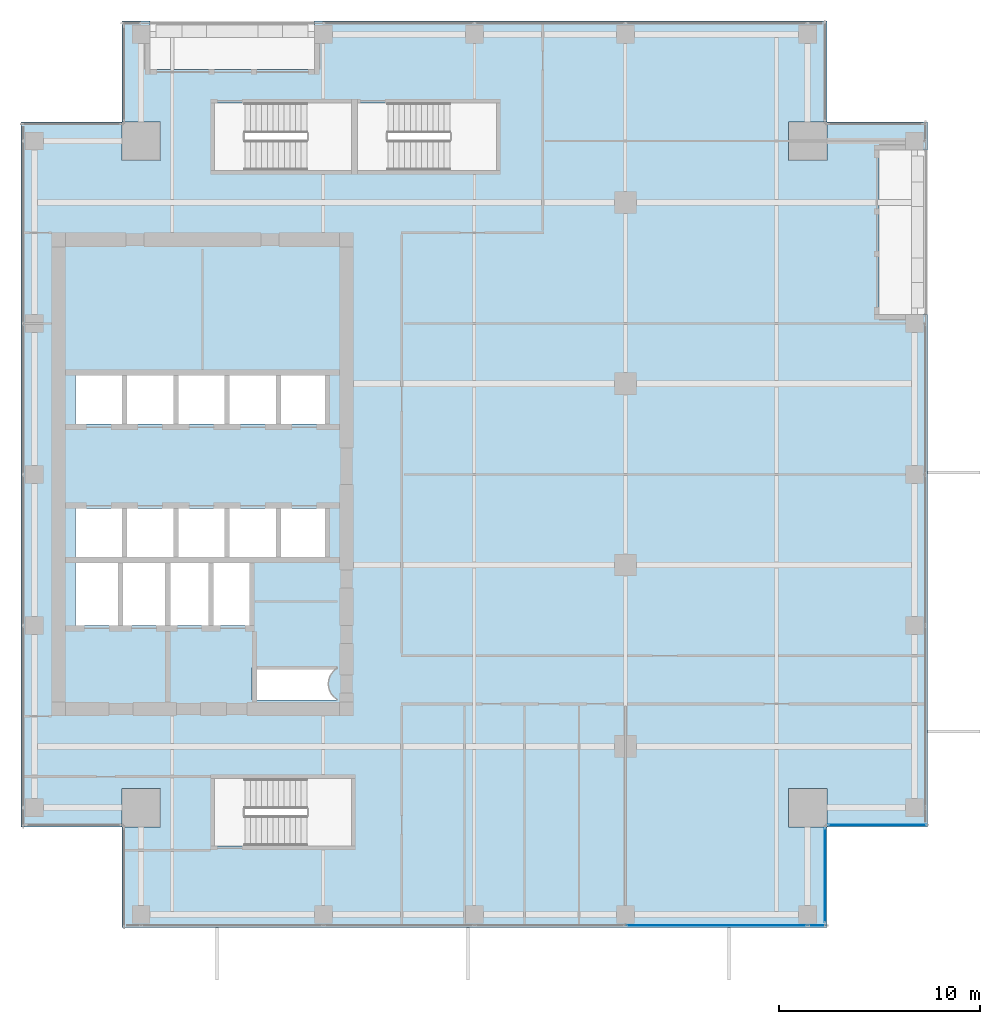
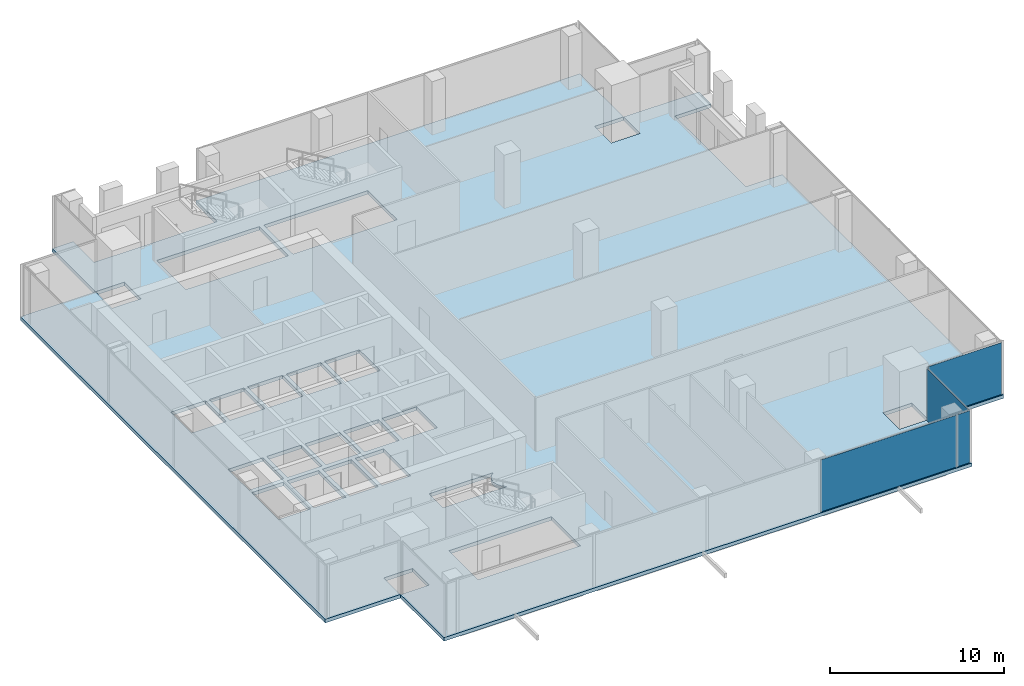
# One storey, part 25 of 34: 4 plates, 1 slab, 3 elements without a shape of their own.
"""IFC4 building model written with IfcOpenShell, lengths in metres."""

from ifc_helpers import new_model, si_unit, direction, frame, origin, origin_2d, place, context, subcontext, project, spatial, polyline, rectangle, outline, extrude, source, transform, mapped, material, layer, layer_set, type_object, element, aggregate, save


model = new_model("IFC4")

# Units and contexts
model_context = context("Model", 3, precision=1e-05, world=origin(), true_north=direction((0.0, 1.0)))
body_context = subcontext(model_context, "Body", "Model", "MODEL_VIEW")
ifc_project = project(units=[si_unit("LENGTHUNIT", "METRE"), si_unit("AREAUNIT", "SQUARE_METRE"), si_unit("VOLUMEUNIT", "CUBIC_METRE"), si_unit("PLANEANGLEUNIT", "RADIAN"), si_unit("MASSUNIT", "GRAM", prefix="KILO")], contexts=[model_context])

# Site, building, storey
site_placement = place(None, origin())
site = spatial("IfcSite", under=ifc_project, at=site_placement, CompositionType="ELEMENT")
building_placement = place(site_placement, origin())
building = spatial("IfcBuilding", under=site, at=building_placement, Name="Khomas Fold Tower", CompositionType="ELEMENT")
storey_placement = place(building_placement, frame((0.0, 0.0, 254.199951171875)))
storey = spatial("IfcBuildingStorey", under=building, at=storey_placement, Name="L57", CompositionType="ELEMENT", Elevation=254.199951171875)

# Slab
ifc_material_1 = material(Name="Concrete C40/50", Category="concrete")
ifc_layer_1 = layer(ifc_material_1, 0.25)
ifc_layer_set_1 = layer_set([ifc_layer_1], Name="Concrete C40/50")
slab_type = type_object("IfcSlabType", Name="RC floor slab 250", PredefinedType="FLOOR", material=ifc_layer_set_1)
shared_shape_1 = source(origin(), body_context, "Body", "SweptSolid", [
    extrude(outline(polyline([(4.5, 9.5), (9.4951171875, 9.5), (9.4951171875, 11.405029296875), (11.405029296875, 11.405029296875), (11.405029296875, 9.4951171875), (9.5, 9.4951171875), (9.5, 4.5), (44.5, 4.5), (44.5, 9.4951171875), (42.594970703125, 9.4951171875), (42.594970703125, 11.405029296875), (44.5048828125, 11.405029296875), (44.5048828125, 9.5), (49.5, 9.5), (49.5, 34.949951171875), (47.10009765625, 34.949951171875), (47.10009765625, 43.10009765625), (49.5, 43.10009765625), (49.5, 44.5), (44.5048828125, 44.5), (44.5048828125, 42.594970703125), (42.594970703125, 42.594970703125), (42.594970703125, 44.5048828125), (44.5, 44.5048828125), (44.5, 49.5), (19.050048828125, 49.5), (19.050048828125, 47.10009765625), (10.89990234375, 47.10009765625), (10.89990234375, 49.5), (9.5, 49.5), (9.5, 44.5048828125), (11.405029296875, 44.5048828125), (11.405029296875, 42.594970703125), (9.4951171875, 42.594970703125), (9.4951171875, 44.5), (4.5, 44.5), (4.5, 9.5)]), holes=[polyline([(7.199951171875, 19.5), (7.199951171875, 22.60009765625), (9.300048828125, 22.60009765625), (9.300048828125, 19.5), (7.199951171875, 19.5)]), polyline([(7.199951171875, 22.89990234375), (7.199951171875, 25.300048828125), (9.5, 25.300048828125), (9.5, 22.89990234375), (7.199951171875, 22.89990234375)]), polyline([(7.199951171875, 29.5), (7.199951171875, 31.89990234375), (9.5, 31.89990234375), (9.5, 29.5), (7.199951171875, 29.5)]), polyline([(9.550048828125, 19.5), (9.550048828125, 22.60009765625), (11.64990234375, 22.60009765625), (11.64990234375, 19.5), (9.550048828125, 19.5)]), polyline([(9.75, 22.89990234375), (9.75, 25.300048828125), (12.050048828125, 25.300048828125), (12.050048828125, 22.89990234375), (9.75, 22.89990234375)]), polyline([(9.75, 29.5), (9.75, 31.89990234375), (12.050048828125, 31.89990234375), (12.050048828125, 29.5), (9.75, 29.5)]), polyline([(11.89990234375, 19.5), (11.89990234375, 22.60009765625), (13.800048828125, 22.60009765625), (13.800048828125, 19.5), (11.89990234375, 19.5)]), polyline([(12.300048828125, 22.89990234375), (12.300048828125, 25.300048828125), (14.60009765625, 25.300048828125), (14.60009765625, 22.89990234375), (12.300048828125, 22.89990234375)]), polyline([(12.300048828125, 29.5), (12.300048828125, 31.89990234375), (14.60009765625, 31.89990234375), (14.60009765625, 29.5), (12.300048828125, 29.5)]), polyline([(14.050048828125, 19.5), (14.050048828125, 22.60009765625), (15.949951171875, 22.60009765625), (15.949951171875, 19.5), (14.050048828125, 19.5)]), polyline([(14.10009765625, 8.550048828125), (14.10009765625, 11.89990234375), (20.89990234375, 11.89990234375), (20.89990234375, 8.550048828125), (14.10009765625, 8.550048828125)]), polyline([(14.10009765625, 42.10009765625), (14.10009765625, 45.449951171875), (20.89990234375, 45.449951171875), (20.89990234375, 42.10009765625), (14.10009765625, 42.10009765625)]), polyline([(14.85009765625, 22.89990234375), (14.85009765625, 25.300048828125), (17.14990234375, 25.300048828125), (17.14990234375, 22.89990234375), (14.85009765625, 22.89990234375)]), polyline([(14.85009765625, 29.5), (14.85009765625, 31.89990234375), (17.14990234375, 31.89990234375), (17.14990234375, 29.5), (14.85009765625, 29.5)]), polyline([(15.949951171875, 15.800048828125), (15.949951171875, 17.39990234375), (20.199951171875, 17.39990234375), (20.199951171875, 17.37841796875), (20.14990234375, 17.348388671875), (20.0791015625, 17.295654296875), (20.013671875, 17.236328125), (19.954345703125, 17.1708984375), (19.901611328125, 17.10009765625), (19.856201171875, 17.0244140625), (19.818603515625, 16.9443359375), (19.788818359375, 16.861328125), (19.767333984375, 16.775634765625), (19.75439453125, 16.688232421875), (19.75, 16.60009765625), (19.75439453125, 16.51171875), (19.767333984375, 16.42431640625), (19.788818359375, 16.338623046875), (19.818603515625, 16.255615234375), (19.856201171875, 16.17578125), (19.901611328125, 16.10009765625), (19.954345703125, 16.029052734375), (20.013671875, 15.963623046875), (20.0791015625, 15.904296875), (20.14990234375, 15.851806640625), (20.199951171875, 15.82177734375), (20.199951171875, 15.800048828125), (15.949951171875, 15.800048828125)]), polyline([(17.39990234375, 22.89990234375), (17.39990234375, 25.300048828125), (19.699951171875, 25.300048828125), (19.699951171875, 22.89990234375), (17.39990234375, 22.89990234375)]), polyline([(17.39990234375, 29.5), (17.39990234375, 31.89990234375), (19.699951171875, 31.89990234375), (19.699951171875, 29.5), (17.39990234375, 29.5)]), polyline([(21.199951171875, 42.10009765625), (21.199951171875, 45.449951171875), (28.10009765625, 45.449951171875), (28.10009765625, 42.10009765625), (21.199951171875, 42.10009765625)])]), origin(), (0.0, 0.0, 1.0), 0.25),
])
slab_placement = place(storey_placement, frame((0.0, 0.0, -0.25)))
element("IfcSlab", 1, at=slab_placement, inside=storey, type_object=slab_type, Name="S-L57", PredefinedType="FLOOR", context=body_context, shape_type="MappedRepresentation", body=[
    mapped(shared_shape_1, transform((0.0, 0.0, 0.0))),
])

# Curtain wall, plates
ifc_material_2 = material(Name="Aluminium framed double glazing", Category="aluminium")
curtain_wall_type = type_object("IfcCurtainWallType", Name="SK-Unitised clear-glass wall, office floors CW2", PredefinedType="NOTDEFINED", material=ifc_material_2)
curtain_wall_1_placement = place(storey_placement, origin())
curtain_wall_1 = element("IfcCurtainWall", 2, at=curtain_wall_1_placement, inside=storey, type_object=curtain_wall_type, Name="CW2 run L57 00-0", PredefinedType="NOTDEFINED")
ifc_material_3 = material(Name="Clear double glazed unit")
ifc_layer_2 = layer(ifc_material_3, 0.030029296875)
ifc_layer_set_2 = layer_set([ifc_layer_2], Name="Clear double glazed unit")
plate_type = type_object("IfcPlateType", Name="SK-Unitised clear-glass wall, office floors glass panel CW2-P", PredefinedType="CURTAIN_PANEL", material=ifc_layer_set_2)
shared_shape_2 = source(origin(), body_context, "Body", "SweptSolid", [
    extrude(rectangle(XDim=0.860107421875, YDim=0.030029296875, at=origin_2d()), origin(), (0.0, 0.0, 1.0), 3.639892578125),
])
plate_1_placement = place(storey_placement, frame((44.010009765625, 4.60009765625, 0.0), z_axis=(0.0, 0.0, 1.0), x_axis=(1.0, 0.0, 0.0)))
plate_1 = element("IfcPlate", 3, at=plate_1_placement, type_object=plate_type, Name="CW2 glass panel 6", PredefinedType="CURTAIN_PANEL", context=body_context, shape_type="MappedRepresentation", body=[
    mapped(shared_shape_2, transform((0.0, 0.0, 0.0))),
])
shared_shape_3 = source(origin(), body_context, "Body", "SweptSolid", [
    extrude(rectangle(XDim=8.989990234375, YDim=0.030029296875, at=origin_2d()), origin(), (0.0, 0.0, 1.0), 3.639892578125),
])
plate_2_placement = place(storey_placement, frame((39.02490234375, 4.60009765625, 0.0), z_axis=(0.0, 0.0, 1.0), x_axis=(1.0, 0.0, 0.0)))
plate_2 = element("IfcPlate", 4, at=plate_2_placement, type_object=plate_type, Name="CW2 glass panel 5", PredefinedType="CURTAIN_PANEL", context=body_context, shape_type="MappedRepresentation", body=[
    mapped(shared_shape_3, transform((0.0, 0.0, 0.0))),
])
aggregate(curtain_wall_1, [plate_2, plate_1])

# Curtain wall, plate
curtain_wall_2_placement = place(storey_placement, origin())
curtain_wall_2 = element("IfcCurtainWall", 5, at=curtain_wall_2_placement, inside=storey, type_object=curtain_wall_type, Name="CW2 corner return L57 01", PredefinedType="NOTDEFINED")
shared_shape_4 = source(origin(), body_context, "Body", "SweptSolid", [
    extrude(rectangle(XDim=4.679931640625, YDim=0.030029296875, at=origin_2d()), origin(), (0.0, 0.0, 1.0), 3.639892578125),
])
plate_3_placement = place(storey_placement, frame((44.39990234375, 7.10009765625, 0.0), z_axis=(0.0, 0.0, 1.0), x_axis=(0.0, 1.0, 0.0)))
plate_3 = element("IfcPlate", 6, at=plate_3_placement, type_object=plate_type, Name="CW2 glass panel 1", PredefinedType="CURTAIN_PANEL", context=body_context, shape_type="MappedRepresentation", body=[
    mapped(shared_shape_4, transform((0.0, 0.0, 0.0))),
])
aggregate(curtain_wall_2, [plate_3])

curtain_wall_3_placement = place(storey_placement, origin())
curtain_wall_3 = element("IfcCurtainWall", 7, at=curtain_wall_3_placement, inside=storey, type_object=curtain_wall_type, Name="CW2 corner return L57 02", PredefinedType="NOTDEFINED")
shared_shape_5 = source(origin(), body_context, "Body", "SweptSolid", [
    extrude(rectangle(XDim=4.8798828125, YDim=0.030029296875, at=origin_2d()), origin(), (0.0, 0.0, 1.0), 3.639892578125),
])
plate_4_placement = place(storey_placement, frame((47.0, 9.60009765625, 0.0), z_axis=(0.0, 0.0, 1.0), x_axis=(1.0, 0.0, 0.0)))
plate_4 = element("IfcPlate", 8, at=plate_4_placement, type_object=plate_type, Name="CW2 glass panel 1", PredefinedType="CURTAIN_PANEL", context=body_context, shape_type="MappedRepresentation", body=[
    mapped(shared_shape_5, transform((0.0, 0.0, 0.0))),
])
aggregate(curtain_wall_3, [plate_4])

save(model, "model.ifc")
